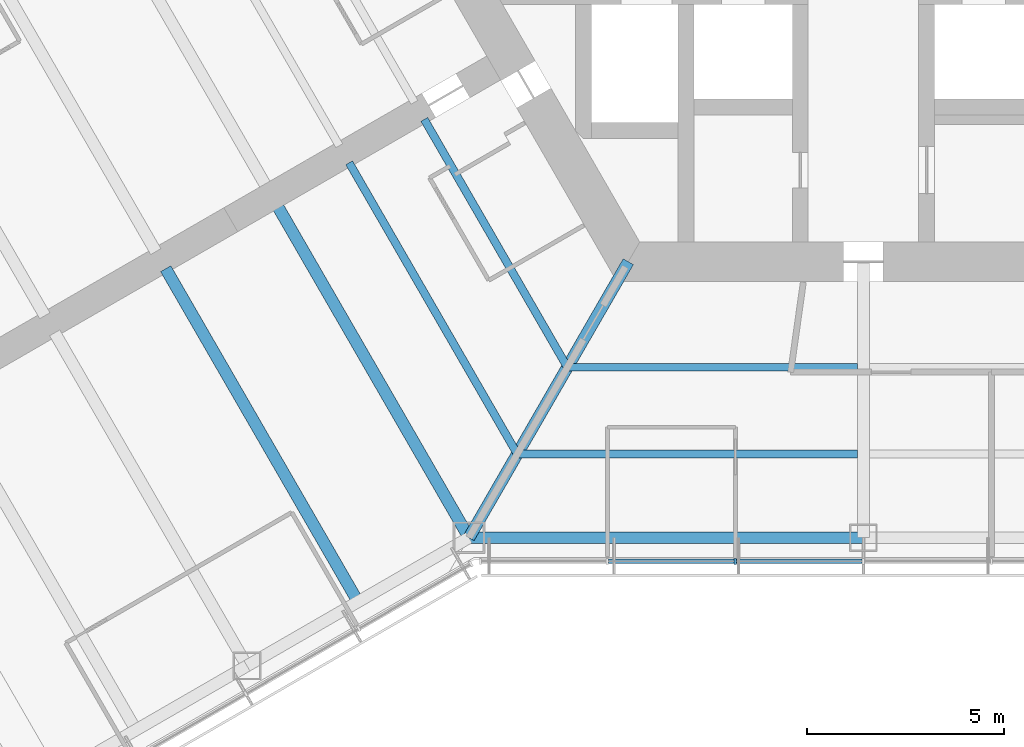
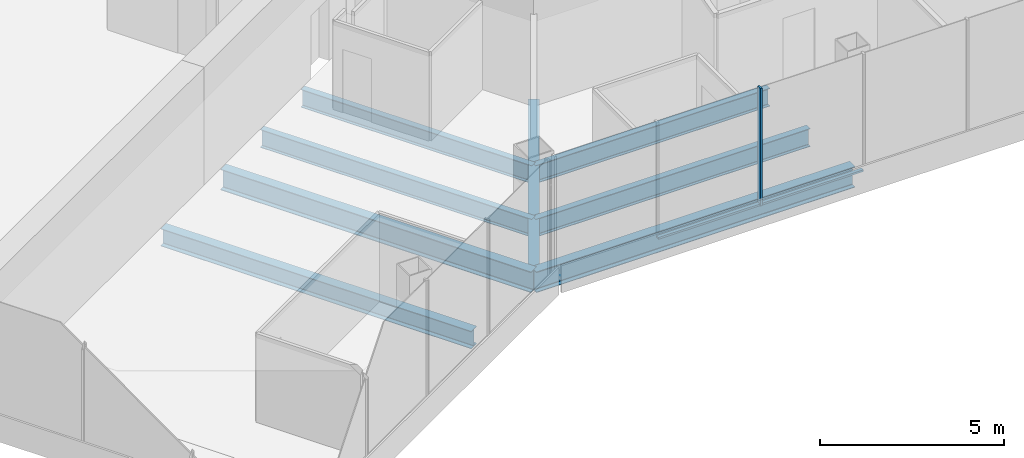
# One storey, part 3 of 18: 8 beams, 3 members, 1 element without a shape of its own.
"""IFC4 building model written with IfcOpenShell, lengths in metres."""

from ifc_helpers import new_model, si_unit, direction, frame, origin, origin_2d, place, context, subcontext, project, spatial, rectangle, i_section, extrude, material, material_profile, profile_set, type_object, element, aggregate, save


model = new_model("IFC4")

# Units and contexts
model_context = context("Model", 3, precision=1e-05, world=origin(), true_north=direction((0.0, 1.0)))
body_context = subcontext(model_context, "Body", "Model", "MODEL_VIEW")
ifc_project = project(units=[si_unit("LENGTHUNIT", "METRE"), si_unit("AREAUNIT", "SQUARE_METRE"), si_unit("VOLUMEUNIT", "CUBIC_METRE"), si_unit("PLANEANGLEUNIT", "RADIAN"), si_unit("MASSUNIT", "GRAM", prefix="KILO")], contexts=[model_context])

# Site, building, storey
site_placement = place(None, origin())
site = spatial("IfcSite", under=ifc_project, at=site_placement, CompositionType="ELEMENT")
building_placement = place(site_placement, origin())
building = spatial("IfcBuilding", under=site, at=building_placement, Name="Kasaneha Research Tower", CompositionType="ELEMENT")
storey_placement = place(building_placement, frame((0.0, 0.0, 168.199951171875)))
storey = spatial("IfcBuildingStorey", under=building, at=storey_placement, Name="L42", CompositionType="ELEMENT", Elevation=168.199951171875)

# Beams
ifc_material_1 = material(Name="Steel SN490B", Category="steel")
ifc_material_profile_1 = material_profile(ifc_material_1, i_section(OverallWidth=0.199951171875, OverallDepth=0.60009765625, WebThickness=0.010986328125, FlangeThickness=0.01708984375, FilletRadius=0.012939453125, at=origin_2d()), Name="H-600x200x11x17")
ifc_profile_set_1 = profile_set([ifc_material_profile_1], Name="Steel SN490B")
beam_type_1 = type_object("IfcBeamType", Name="B1-3 secondary beam H-600x200x11x17", PredefinedType="JOIST", material=ifc_profile_set_1)
beam_1_placement = place(storey_placement, frame((-7.505615234375, -13.0, -0.449951171875), z_axis=(-0.499993340521, 0.866029248602, 0.0), x_axis=(-0.866029248602, -0.499993340521, 0.0)))
element("IfcBeam", 1, at=beam_1_placement, inside=storey, type_object=beam_type_1, Name="Secondary beam RS210R1 L42", PredefinedType="JOIST", context=body_context, shape_type="SweptSolid", body=[
    extrude(i_section(OverallWidth=0.199951171875, OverallDepth=0.60009765625, WebThickness=0.010986328125, FlangeThickness=0.01708984375, FilletRadius=0.012939453125, at=origin_2d()), origin(), (0.0, 0.0, 1.0), 7.25537109375),
])
beam_2_placement = place(storey_placement, frame((-8.775634765625, -15.199951171875, -0.449951171875), z_axis=(-0.500004205306, 0.866022975836, 0.0), x_axis=(-0.866022975836, -0.500004205306, 0.0)))
element("IfcBeam", 2, at=beam_2_placement, inside=storey, type_object=beam_type_1, Name="Secondary beam RS210R2 L42", PredefinedType="JOIST", context=body_context, shape_type="SweptSolid", body=[
    extrude(i_section(OverallWidth=0.199951171875, OverallDepth=0.60009765625, WebThickness=0.010986328125, FlangeThickness=0.01708984375, FilletRadius=0.012939453125, at=origin_2d()), origin(), (0.0, 0.0, 1.0), 8.52587890625),
])
beam_3_placement = place(storey_placement, frame((-7.505615234375, -13.0, -0.449951171875), z_axis=(1.0, 0.0, 0.0), x_axis=(0.0, 1.0, 0.0)))
element("IfcBeam", 3, at=beam_3_placement, inside=storey, type_object=beam_type_1, Name="Secondary beam RS270L1 L42", PredefinedType="JOIST", context=body_context, shape_type="SweptSolid", body=[
    extrude(i_section(OverallWidth=0.199951171875, OverallDepth=0.60009765625, WebThickness=0.010986328125, FlangeThickness=0.01708984375, FilletRadius=0.012939453125, at=origin_2d()), origin(), (0.0, 0.0, 1.0), 7.355712890625),
])
beam_4_placement = place(storey_placement, frame((-8.775634765625, -15.199951171875, -0.449951171875), z_axis=(1.0, 0.0, 0.0), x_axis=(0.0, 1.0, 0.0)))
element("IfcBeam", 4, at=beam_4_placement, inside=storey, type_object=beam_type_1, Name="Secondary beam RS270L2 L42", PredefinedType="JOIST", context=body_context, shape_type="SweptSolid", body=[
    extrude(i_section(OverallWidth=0.199951171875, OverallDepth=0.60009765625, WebThickness=0.010986328125, FlangeThickness=0.01708984375, FilletRadius=0.012939453125, at=origin_2d()), origin(), (0.0, 0.0, 1.0), 8.625732421875),
])
ifc_material_2 = material(Name="Steel SN490B", Category="steel")
ifc_material_profile_2 = material_profile(ifc_material_2, i_section(OverallWidth=0.300048828125, OverallDepth=0.58203125, WebThickness=0.011962890625, FlangeThickness=0.01708984375, FilletRadius=0.012939453125, at=origin_2d()), Name="H-582x300x12x17")
ifc_profile_set_2 = profile_set([ifc_material_profile_2], Name="Steel SN490B")
beam_type_2 = type_object("IfcBeamType", Name="B2-3 secondary beam H-582x300x12x17", PredefinedType="JOIST", material=ifc_profile_set_2)
beam_5_placement = place(storey_placement, frame((-12.814697265625, -18.945556640625, -0.44091796875), z_axis=(-0.499995560238, 0.866027967067, 0.0), x_axis=(-0.866027967067, -0.499995560238, 0.0)))
element("IfcBeam", 5, at=beam_5_placement, inside=storey, type_object=beam_type_2, Name="Secondary beam WBBN1 L42", PredefinedType="JOIST", context=body_context, shape_type="SweptSolid", body=[
    extrude(i_section(OverallWidth=0.300048828125, OverallDepth=0.58203125, WebThickness=0.011962890625, FlangeThickness=0.01708984375, FilletRadius=0.012939453125, at=origin_2d()), origin(), (0.0, 0.0, 1.0), 9.75),
])

# Curtain wall, members
ifc_material_3 = material(Name="Glass and aluminium", Category="aluminium")
curtain_wall_type = type_object("IfcCurtainWallType", Name="Mid-rise office curtain wall", PredefinedType="USERDEFINED", material=ifc_material_3)
curtain_wall_placement = place(storey_placement, origin())
curtain_wall = element("IfcCurtainWall", 6, at=curtain_wall_placement, inside=storey, type_object=curtain_wall_type, Name="CW-O2 L42 run 01a", ObjectType="UNITISED CURTAIN WALL", PredefinedType="USERDEFINED")
ifc_material_4 = material(Name="Aluminium 6063-T6", Category="aluminium")
ifc_material_profile_3 = material_profile(ifc_material_4, rectangle(XDim=0.06005859375, YDim=0.14990234375, at=origin_2d()), Name="CW-O2 mullion 60x150")
ifc_profile_set_3 = profile_set([ifc_material_profile_3], Name="Aluminium 6063-T6")
member_type_1 = type_object("IfcMemberType", Name="CW-O2 mullion", PredefinedType="MULLION", material=ifc_profile_set_3)
member_1_placement = place(storey_placement, frame((-3.246337890625, -17.92041015625, 0.0), z_axis=(0.0, 0.0, 1.0), x_axis=(1.0, 0.0, 0.0)))
member_1 = element("IfcMember", 7, at=member_1_placement, type_object=member_type_1, Name="CW-O2 mullion 3", PredefinedType="MULLION", context=body_context, shape_type="SweptSolid", body=[
    extrude(rectangle(XDim=0.06005859375, YDim=0.14990234375, at=origin_2d()), origin(), (0.0, 0.0, 1.0), 3.900146484375),
])
ifc_material_5 = material(Name="Aluminium 6063-T6", Category="aluminium")
ifc_material_profile_4 = material_profile(ifc_material_5, rectangle(XDim=0.110107421875, YDim=0.06005859375, at=origin_2d()), Name="CW-O2 transom 110x60")
ifc_profile_set_4 = profile_set([ifc_material_profile_4], Name="Aluminium 6063-T6")
member_type_2 = type_object("IfcMemberType", Name="CW-O2 transom", PredefinedType="USERDEFINED", material=ifc_profile_set_4)
member_2_placement = place(storey_placement, frame((-6.462890625, -17.92041015625, 0.030029296875), z_axis=(1.0, 0.0, 0.0), x_axis=(0.0, 1.0, 0.0)))
member_2 = element("IfcMember", 8, at=member_2_placement, type_object=member_type_2, Name="CW-O2 transom 2", ObjectType="TRANSOM", PredefinedType="USERDEFINED", context=body_context, shape_type="SweptSolid", body=[
    extrude(rectangle(XDim=0.110107421875, YDim=0.06005859375, at=origin_2d()), origin(), (0.0, 0.0, 1.0), 3.1865234375),
])
member_3_placement = place(storey_placement, frame((-3.21630859375, -17.92041015625, 0.030029296875), z_axis=(1.0, 0.0, 0.0), x_axis=(0.0, 1.0, 0.0)))
member_3 = element("IfcMember", 9, at=member_3_placement, type_object=member_type_2, Name="CW-O2 transom 3", ObjectType="TRANSOM", PredefinedType="USERDEFINED", context=body_context, shape_type="SweptSolid", body=[
    extrude(rectangle(XDim=0.110107421875, YDim=0.06005859375, at=origin_2d()), origin(), (0.0, 0.0, 1.0), 3.186279296875),
])
aggregate(curtain_wall, [member_1, member_2, member_3])

# Beams
ifc_material_6 = material(Name="Steel SN490B", Category="steel")
ifc_material_profile_5 = material_profile(ifc_material_6, i_section(OverallWidth=0.300048828125, OverallDepth=0.699951171875, WebThickness=0.012939453125, FlangeThickness=0.02392578125, FilletRadius=0.01806640625, at=origin_2d()), Name="H-700x300x13x24")
ifc_profile_set_5 = profile_set([ifc_material_profile_5], Name="Steel SN490B")
beam_type_3 = type_object("IfcBeamType", Name="G1-3 radial girder H-700x300x13x24", PredefinedType="BEAM", material=ifc_profile_set_5)
beam_6_placement = place(storey_placement, frame((-5.961181640625, -10.324951171875, -0.5), z_axis=(-0.49999105496, -0.866030568144, 0.0), x_axis=(0.866030568144, -0.49999105496, 0.0)))
element("IfcBeam", 10, at=beam_6_placement, inside=storey, type_object=beam_type_3, Name="Radial girder RV240 L42", PredefinedType="BEAM", context=body_context, shape_type="SweptSolid", body=[
    extrude(i_section(OverallWidth=0.300048828125, OverallDepth=0.699951171875, WebThickness=0.012939453125, FlangeThickness=0.02392578125, FilletRadius=0.01806640625, at=origin_2d()), origin(), (0.0, 0.0, 1.0), 8.077880859375),
])
ifc_material_7 = material(Name="Steel SN490B", Category="steel")
ifc_material_profile_6 = material_profile(ifc_material_7, i_section(OverallWidth=0.300048828125, OverallDepth=0.69189453125, WebThickness=0.012939453125, FlangeThickness=0.02001953125, FilletRadius=0.01806640625, at=origin_2d()), Name="H-692x300x13x20")
ifc_profile_set_6 = profile_set([ifc_material_profile_6], Name="Steel SN490B")
beam_type_4 = type_object("IfcBeamType", Name="G3-3 plate edge girder H-692x300x13x20", PredefinedType="BEAM", material=ifc_profile_set_6)
beam_7_placement = place(storey_placement, frame((-10.0, -17.320556640625, -0.495849609375), z_axis=(-0.499995560238, 0.866027967067, 0.0), x_axis=(-0.866027967067, -0.499995560238, 0.0)))
element("IfcBeam", 11, at=beam_7_placement, inside=storey, type_object=beam_type_4, Name="Plate edge girder PEBN L42", PredefinedType="BEAM", context=body_context, shape_type="SweptSolid", body=[
    extrude(i_section(OverallWidth=0.300048828125, OverallDepth=0.69189453125, WebThickness=0.012939453125, FlangeThickness=0.02001953125, FilletRadius=0.01806640625, at=origin_2d()), origin(), (0.0, 0.0, 1.0), 9.75),
])
ifc_material_8 = material(Name="Steel SN490B", Category="steel")
ifc_material_profile_7 = material_profile(ifc_material_8, i_section(OverallWidth=0.300048828125, OverallDepth=0.69189453125, WebThickness=0.012939453125, FlangeThickness=0.02001953125, FilletRadius=0.01806640625, at=origin_2d()), Name="H-692x300x13x20")
ifc_profile_set_7 = profile_set([ifc_material_profile_7], Name="Steel SN490B")
beam_type_5 = type_object("IfcBeamType", Name="SB1-3 spandrel beam H-692x300x13x20", PredefinedType="SPANDREL", material=ifc_profile_set_7)
beam_8_placement = place(storey_placement, frame((-10.0, -17.320556640625, -0.495849609375), z_axis=(1.0, 0.0, 0.0), x_axis=(0.0, 1.0, 0.0)))
element("IfcBeam", 12, at=beam_8_placement, inside=storey, type_object=beam_type_5, Name="Spandrel beam SR270L L42", PredefinedType="SPANDREL", context=body_context, shape_type="SweptSolid", body=[
    extrude(i_section(OverallWidth=0.300048828125, OverallDepth=0.69189453125, WebThickness=0.012939453125, FlangeThickness=0.02001953125, FilletRadius=0.01806640625, at=origin_2d()), origin(), (0.0, 0.0, 1.0), 10.0),
])

save(model, "model.ifc")
